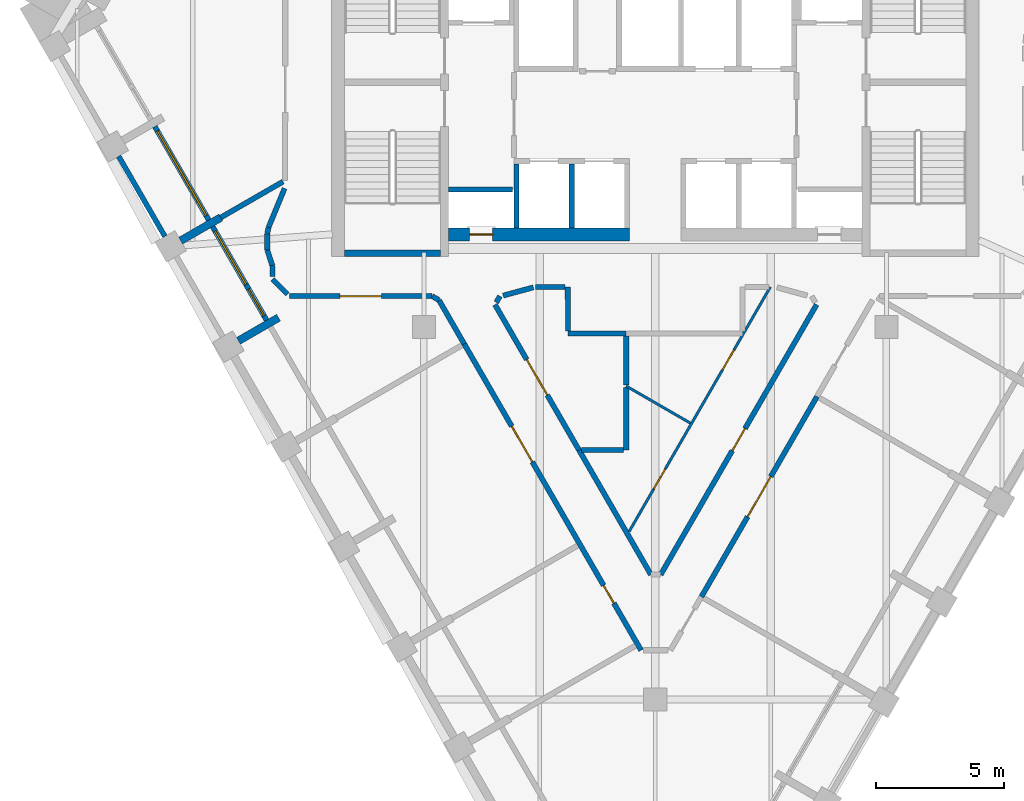
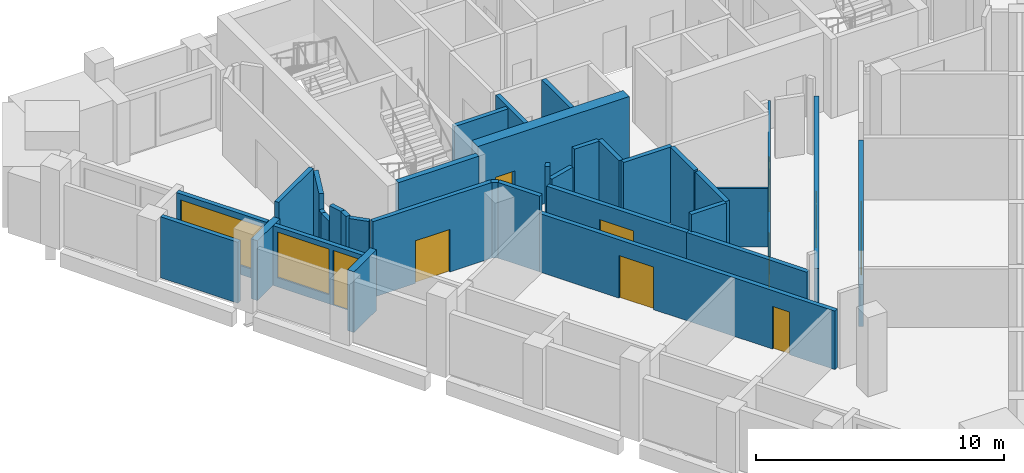
# One storey, part 3 of 8: 35 walls, 10 doors, 2 windows, 12 openings.
"""IFC4 building model written with IfcOpenShell, lengths in metres."""

import ifcopenshell
import ifcopenshell.guid

model = None  # the IFC model being written
_history = None  # IfcOwnerHistory: only IFC2X3 demands one
_inside = {}  # id of a spatial element -> (the spatial element, [elements in it])
_under = {}  # id of a project, library or spatial element -> (it, [spatial elements below it])
_declared = {}  # id of a project -> (the project, [libraries it declares])
_typed = {}  # id of a type object -> (the type object, [elements of that type])
_made_of = {}  # id of a material, layer set ... -> (it, [elements and type objects made of it])


def new_model(schema):
    """Start an empty IFC model of exactly this schema.

    Asked for "IFC4X3", IfcOpenShell would pick the latest addendum, in which some entities
    have other attributes; the version numbers below select the first issue.
    IFC2X3 requires an IfcOwnerHistory on every rooted entity: one is made here for all.
    """
    global model, _history
    if schema == "IFC4X3":
        model = ifcopenshell.file(schema_version=(4, 3, 0, 0))
    else:
        model = ifcopenshell.file(schema=schema)
    _inside.clear()
    _under.clear()
    _declared.clear()
    _typed.clear()
    _made_of.clear()
    _history = None
    if model.schema == "IFC2X3":
        org = make("IfcOrganization", Name="unknown")
        user = make(
            "IfcPersonAndOrganization",
            ThePerson=make("IfcPerson", FamilyName="unknown"),
            TheOrganization=org,
        )
        app = make(
            "IfcApplication",
            ApplicationDeveloper=org,
            Version="unknown",
            ApplicationFullName="unknown",
            ApplicationIdentifier="unknown",
        )
        _history = make(
            "IfcOwnerHistory",
            OwningUser=user,
            OwningApplication=app,
            ChangeAction="ADDED",
            CreationDate=0,
        )
    return model


def make(cls, **values):
    """One entity of the class cls with the attributes given. An attribute that is None is left unset."""
    return model.create_entity(
        cls, **{name: value for name, value in values.items() if value is not None}
    )


def rooted(cls, **values):
    """An entity with a GlobalId (a new one), such as an element, a storey or a relation."""
    return make(cls, GlobalId=ifcopenshell.guid.new(), OwnerHistory=_history, **values)


def si_unit(unit_type, name, prefix=None):
    """IfcSIUnit, for example si_unit("LENGTHUNIT", "METRE", prefix="MILLI")."""
    return make("IfcSIUnit", UnitType=unit_type, Prefix=prefix, Name=name)


def assignment(units):
    """IfcUnitAssignment: the units of a project."""
    return None if units is None else make("IfcUnitAssignment", Units=units)


def point(xyz):
    """IfcCartesianPoint."""
    return None if xyz is None else make("IfcCartesianPoint", Coordinates=xyz)


def direction(xyz):
    """IfcDirection."""
    return None if xyz is None else make("IfcDirection", DirectionRatios=xyz)


def frame(location, z_axis=None, x_axis=None):
    """IfcAxis2Placement3D, a coordinate frame: its origin and axes. An axis left out is left unset."""
    return make(
        "IfcAxis2Placement3D",
        Location=point(location),
        Axis=direction(z_axis),
        RefDirection=direction(x_axis),
    )


def frame_2d(location, x_axis=None):
    """IfcAxis2Placement2D, a coordinate frame in the plane: its origin and x axis."""
    return make(
        "IfcAxis2Placement2D", Location=point(location), RefDirection=direction(x_axis)
    )


def origin():
    """The frame at (0, 0, 0) with its axes left unset."""
    return frame((0.0, 0.0, 0.0))


def place(relative_to, where):
    """IfcLocalPlacement: puts the frame where relative to a parent placement (None: the world)."""
    return make(
        "IfcLocalPlacement", PlacementRelTo=relative_to, RelativePlacement=where
    )


def context(
    kind, dimensions, precision=None, world=None, true_north=None, identifier=None
):
    """IfcGeometricRepresentationContext, for example the 3D "Model" context."""
    return make(
        "IfcGeometricRepresentationContext",
        ContextIdentifier=identifier,
        ContextType=kind,
        CoordinateSpaceDimension=dimensions,
        Precision=precision,
        WorldCoordinateSystem=world,
        TrueNorth=true_north,
    )


def subcontext(parent, identifier, kind, view, scale=None):
    """IfcGeometricRepresentationSubContext, for example "Body" below "Model"."""
    return make(
        "IfcGeometricRepresentationSubContext",
        ContextIdentifier=identifier,
        ContextType=kind,
        ParentContext=parent,
        TargetScale=scale,
        TargetView=view,
    )


def project(units=None, contexts=None):
    """IfcProject with its units and contexts."""
    return rooted(
        "IfcProject",
        Name="project",
        RepresentationContexts=contexts,
        UnitsInContext=assignment(units),
    )


def spatial(cls, under=None, at=None, **own):
    """A site, building, storey or space (cls), placed at a placement, below another one or the project."""
    s = rooted(cls, ObjectPlacement=at, **own)
    if under is not None:
        _under.setdefault(under.id(), (under, []))[1].append(s)
    return s


def profile(cls, at=None, kind="AREA", **sizes):
    """A parametric profile (cls). Its sizes go by their IFC names, for example OverallWidth=200.0."""
    return make(cls, ProfileType=kind, Position=at, **sizes)


def rectangle(**sizes):
    """IfcRectangleProfileDef."""
    return profile("IfcRectangleProfileDef", **sizes)


def extrude(swept, where, along, depth):
    """IfcExtrudedAreaSolid: the profile swept, set in the frame where, extruded along a direction by depth."""
    return make(
        "IfcExtrudedAreaSolid",
        SweptArea=swept,
        Position=where,
        ExtrudedDirection=direction(along),
        Depth=depth,
    )


def shape(context_of_items, identifier, shape_type, items):
    """IfcShapeRepresentation: the items that make up one representation, for example the "Body"."""
    return make(
        "IfcShapeRepresentation",
        ContextOfItems=context_of_items,
        RepresentationIdentifier=identifier,
        RepresentationType=shape_type,
        Items=items,
    )


def material(Name=None, Category=None):
    """IfcMaterial."""
    return make("IfcMaterial", Name=Name, Category=Category)


def layer(
    of_material, thickness, ventilated=None, Name=None, Category=None, Priority=None
):
    """IfcMaterialLayer: one layer of a wall or slab, of a material (None: an air gap)."""
    return make(
        "IfcMaterialLayer",
        Material=of_material,
        LayerThickness=thickness,
        IsVentilated=ventilated,
        Name=Name,
        Category=Category,
        Priority=Priority,
    )


def layer_set(layers, Name=None):
    """IfcMaterialLayerSet."""
    return make("IfcMaterialLayerSet", MaterialLayers=layers, LayerSetName=Name)


def made_of(thing, what):
    """Note that an element or type object is made of a material, layer set ...; save() writes the relation."""
    if what is not None:
        _made_of.setdefault(what.id(), (what, []))[1].append(thing)
    return thing


def type_object(cls, material=None, **own):
    """A type object (cls), such as IfcWallType, which elements share."""
    return made_of(rooted(cls, **own), material)


def element(
    cls,
    number,
    at=None,
    inside=None,
    cuts=None,
    type_object=None,
    material=None,
    context=None,
    identifier="Body",
    shape_type=None,
    held_by="IfcProductDefinitionShape",
    body=None,
    shapes=None,
    **own,
):
    """One element of the class cls, such as IfcWall. Its Tag is "e" and its number.

    at: its placement. inside: the storey or other place that contains it. cuts: it is an
    opening in that element (IfcRelVoidsElement). A single representation is given by context,
    identifier, shape_type and body (its items); several are given by shapes. held_by: the class
    of the entity that holds the representations. save() writes the other relations.
    """
    e = rooted(cls, Tag="e%d" % number, ObjectPlacement=at, **own)
    if body is not None:
        shapes = [shape(context, identifier, shape_type, body)]
    if shapes is not None:
        e.Representation = make(held_by, Representations=shapes)
    if inside is not None:
        _inside.setdefault(inside.id(), (inside, []))[1].append(e)
    if cuts is not None:
        rooted(
            "IfcRelVoidsElement", RelatingBuildingElement=cuts, RelatedOpeningElement=e
        )
    if type_object is not None:
        _typed.setdefault(type_object.id(), (type_object, []))[1].append(e)
    return made_of(e, material)


def fill(opening, filler):
    """IfcRelFillsElement: the door or window that sits in an opening."""
    return rooted(
        "IfcRelFillsElement",
        RelatingOpeningElement=opening,
        RelatedBuildingElement=filler,
    )


def aggregate(whole, parts):
    """IfcRelAggregates: a whole, such as a stair, and the parts it consists of."""
    return rooted("IfcRelAggregates", RelatingObject=whole, RelatedObjects=parts)


def save(model, path):
    """Write the relations noted so far, then the file.

    IfcRelAggregates (storeys below a building ...), IfcRelContainedInSpatialStructure (elements
    in a storey), IfcRelDefinesByType, IfcRelAssociatesMaterial and IfcRelDeclares: one each for
    every whole, place, type object, material and project.
    """
    for whole, parts in _under.values():
        aggregate(whole, parts)
    for where, things in _inside.values():
        rooted(
            "IfcRelContainedInSpatialStructure",
            RelatedElements=things,
            RelatingStructure=where,
        )
    for kind, things in _typed.values():
        rooted("IfcRelDefinesByType", RelatedObjects=things, RelatingType=kind)
    for what, things in _made_of.values():
        rooted("IfcRelAssociatesMaterial", RelatedObjects=things, RelatingMaterial=what)
    for by, libraries in _declared.values():
        rooted("IfcRelDeclares", RelatingContext=by, RelatedDefinitions=libraries)
    model.write(path)


model = new_model("IFC4")

# Units and contexts
model_context = context("Model", 3, precision=1e-05, world=origin(), true_north=direction((0.0, 1.0)))
body_context = subcontext(model_context, "Body", "Model", "MODEL_VIEW")
ifc_project = project(units=[si_unit("LENGTHUNIT", "METRE"), si_unit("AREAUNIT", "SQUARE_METRE"), si_unit("VOLUMEUNIT", "CUBIC_METRE"), si_unit("PLANEANGLEUNIT", "RADIAN"), si_unit("MASSUNIT", "GRAM", prefix="KILO")], contexts=[model_context])

# Site, building, storey
site_placement = place(None, origin())
site = spatial("IfcSite", under=ifc_project, at=site_placement, CompositionType="ELEMENT")
building_placement = place(site_placement, origin())
building = spatial("IfcBuilding", under=site, at=building_placement, Name="Calabash Gate Tower", CompositionType="ELEMENT")
storey_placement = place(building_placement, frame((0.0, 0.0, 259.89990234375)))
storey = spatial("IfcBuildingStorey", under=building, at=storey_placement, Name="L62", CompositionType="ELEMENT", Elevation=259.89990234375)

# Walls
ifc_material_1 = material(Name="Terracotta brick masonry, exposed face", Category="masonry")
ifc_layer_1 = layer(ifc_material_1, 0.300048828125)
ifc_layer_set_1 = layer_set([ifc_layer_1], Name="Brick loggia cheek wall 300")
wall_type_1 = type_object("IfcWallType", Name="Brick loggia cheek wall 300", PredefinedType="SOLIDWALL", material=ifc_layer_set_1)
wall_1_placement = place(storey_placement, frame((-16.910888671875, 6.75927734375, 0.0), z_axis=(0.0, 0.0, 1.0), x_axis=(-0.866047807691, -0.499961193289, 0.0)))
element("IfcWall", 1, at=wall_1_placement, inside=storey, type_object=wall_type_1, Name="Loggia cheek S18 SW0.2", PredefinedType="SOLIDWALL", context=body_context, shape_type="SweptSolid", body=[
    extrude(rectangle(XDim=1.800048828125, YDim=0.300048828125, at=frame_2d((0.89990234375, 0.0))), origin(), (0.0, 0.0, 1.0), 2.9501953125),
])
wall_2_placement = place(storey_placement, frame((-16.2197265625, 1.962158203125, 0.0), z_axis=(0.0, 0.0, 1.0), x_axis=(0.865989075817, 0.500062916607, 0.0)))
element("IfcWall", 2, at=wall_2_placement, inside=storey, type_object=wall_type_1, Name="Loggia cheek S18 SW0.3", PredefinedType="SOLIDWALL", context=body_context, shape_type="SweptSolid", body=[
    extrude(rectangle(XDim=1.800048828125, YDim=0.300048828125, at=frame_2d((0.89990234375, 0.0))), origin(), (0.0, 0.0, 1.0), 3.0),
])
ifc_material_2 = material(Name="Concrete C60/75", Category="concrete")
ifc_layer_2 = layer(ifc_material_2, 0.25)
ifc_layer_set_2 = layer_set([ifc_layer_2], Name="Core wall 250 Concrete C60/75")
wall_type_2 = type_object("IfcWallType", Name="Core wall 250 Concrete C60/75", PredefinedType="SHEAR", material=ifc_layer_set_2)
wall_3_placement = place(storey_placement, frame((-12.10009765625, 5.377685546875, 0.0), z_axis=(0.0, 0.0, 1.0), x_axis=(1.0, 0.0, 0.0)))
element("IfcWall", 3, at=wall_3_placement, inside=storey, type_object=wall_type_2, Name="Core wall Z5-SSW L62", PredefinedType="SHEAR", context=body_context, shape_type="SweptSolid", body=[
    extrude(rectangle(XDim=3.75, YDim=0.25, at=frame_2d((1.875, 0.0))), origin(), (0.0, 0.0, 1.0), 3.900146484375),
])

# Wall, opening, door
ifc_material_3 = material(Name="Concrete C60/75", Category="concrete")
ifc_layer_3 = layer(ifc_material_3, 0.5)
ifc_layer_set_3 = layer_set([ifc_layer_3], Name="Core wall 500 Concrete C60/75")
wall_type_3 = type_object("IfcWallType", Name="Core wall 500 Concrete C60/75", PredefinedType="SHEAR", material=ifc_layer_set_3)
wall_4_placement = place(storey_placement, frame((-8.050048828125, 6.1025390625, 0.0), z_axis=(0.0, 0.0, 1.0), x_axis=(1.0, 0.0, 0.0)))
wall_4 = element("IfcWall", 4, at=wall_4_placement, inside=storey, type_object=wall_type_3, Name="Core wall Z5-SA L62", PredefinedType="SHEAR", context=body_context, shape_type="SweptSolid", body=[
    extrude(rectangle(XDim=7.050048828125, YDim=0.5, at=frame_2d((3.52490234375, 0.0))), origin(), (0.0, 0.0, 1.0), 3.900146484375),
])
opening_1_placement = place(wall_4_placement, frame((0.824951171875, 0.0, 0.0)))
opening_1 = element("IfcOpeningElement", 5, at=opening_1_placement, cuts=wall_4, Name="Opening O10-008", PredefinedType="OPENING", context=body_context, shape_type="SweptSolid", body=[
    extrude(rectangle(XDim=0.89990234375, YDim=2.10009765625, at=frame_2d((0.449951171875, 1.050048828125))), frame((0.0, 0.260009765625, 0.0), z_axis=(0.0, -1.0, 0.0), x_axis=(1.0, 0.0, 0.0)), (0.0, 0.0, 1.0), 0.52001953125),
])
ifc_material_4 = material(Name="Steel fire door set with fire-resisting glazing", Category="steel")
door_type_1 = type_object("IfcDoorType", Name="Fire door D07 900x2100 FD90", OperationType="NOTDEFINED", PredefinedType="DOOR", material=ifc_material_4)
door_1_placement = place(opening_1_placement, origin())
door_1 = element("IfcDoor", 6, at=door_1_placement, inside=storey, type_object=door_type_1, Name="Electrical Riser W door", OperationType="SINGLE_SWING_LEFT", OverallHeight=2.10009765625, OverallWidth=0.89990234375, PredefinedType="DOOR", context=body_context, shape_type="SweptSolid", body=[
    extrude(rectangle(XDim=0.89990234375, YDim=2.10009765625, at=frame_2d((0.449951171875, 1.050048828125))), frame((0.0, 0.02490234375, 0.0), z_axis=(0.0, -1.0, 0.0), x_axis=(1.0, 0.0, 0.0)), (0.0, 0.0, 1.0), 0.050048828125),
])
fill(opening_1, door_1)

# Wall, openings, doors
ifc_material_5 = material(Name="Gypsum board on steel studs, mineral wool", Category="steel")
ifc_layer_4 = layer(ifc_material_5, 0.10009765625)
ifc_layer_set_4 = layer_set([ifc_layer_4], Name="Partition 100 gypsum board")
wall_type_4 = type_object("IfcWallType", Name="Partition 100 gypsum board", PredefinedType="PARTITIONING", material=ifc_layer_set_4)
wall_5_placement = place(storey_placement, frame((-1.01708984375, -5.46533203125, 0.0), z_axis=(0.0, 0.0, 1.0), x_axis=(0.499983334908, 0.866035025166, 0.0)))
wall_5 = element("IfcWall", 7, at=wall_5_placement, inside=storey, type_object=wall_type_4, Name="Partition", PredefinedType="PARTITIONING", context=body_context, shape_type="SweptSolid", body=[
    extrude(rectangle(XDim=10.990234375, YDim=0.10009765625, at=frame_2d((5.4951171875, 0.0))), origin(), (0.0, 0.0, 1.0), 2.88427734375),
])
opening_2_placement = place(wall_5_placement, frame((1.915283203125, 0.0, 0.0)))
opening_2 = element("IfcOpeningElement", 8, at=opening_2_placement, cuts=wall_5, Name="Opening 62-64-013", PredefinedType="OPENING", context=body_context, shape_type="SweptSolid", body=[
    extrude(rectangle(XDim=0.89990234375, YDim=2.10009765625, at=frame_2d((0.449951171875, 1.050048828125))), frame((0.0, 0.06005859375, 0.0), z_axis=(0.0, -1.0, 0.0), x_axis=(1.0, 0.0, 0.0)), (0.0, 0.0, 1.0), 0.1201171875),
])
opening_3_placement = place(wall_5_placement, frame((7.2705078125, 0.0, 0.0)))
opening_3 = element("IfcOpeningElement", 9, at=opening_3_placement, cuts=wall_5, Name="Opening 62-64-014", PredefinedType="OPENING", context=body_context, shape_type="SweptSolid", body=[
    extrude(rectangle(XDim=0.89990234375, YDim=2.10009765625, at=frame_2d((0.449951171875, 1.050048828125))), frame((0.0, 0.06005859375, 0.0), z_axis=(0.0, -1.0, 0.0), x_axis=(1.0, 0.0, 0.0)), (0.0, 0.0, 1.0), 0.1201171875),
])
ifc_material_6 = material(Name="Painted timber door", Category="wood")
door_type_2 = type_object("IfcDoorType", Name="WD1 WC door 900x2100", OperationType="NOTDEFINED", PredefinedType="DOOR", material=ifc_material_6)
door_2_placement = place(opening_2_placement, origin())
door_2 = element("IfcDoor", 10, at=door_2_placement, inside=storey, type_object=door_type_2, Name="WC door", OperationType="SINGLE_SWING_LEFT", OverallHeight=2.10009765625, OverallWidth=0.89990234375, PredefinedType="DOOR", context=body_context, shape_type="SweptSolid", body=[
    extrude(rectangle(XDim=0.89990234375, YDim=2.10009765625, at=frame_2d((0.449951171875, 1.050048828125))), frame((0.0, 0.02490234375, 0.0), z_axis=(0.0, -1.0, 0.0), x_axis=(1.0, 0.0, 0.0)), (0.0, 0.0, 1.0), 0.050048828125),
])
fill(opening_2, door_2)
door_3_placement = place(opening_3_placement, origin())
door_3 = element("IfcDoor", 11, at=door_3_placement, inside=storey, type_object=door_type_2, Name="WC door", OperationType="SINGLE_SWING_RIGHT", OverallHeight=2.10009765625, OverallWidth=0.89990234375, PredefinedType="DOOR", context=body_context, shape_type="SweptSolid", body=[
    extrude(rectangle(XDim=0.89990234375, YDim=2.10009765625, at=frame_2d((0.449951171875, 1.050048828125))), frame((0.0, 0.02490234375, 0.0), z_axis=(0.0, -1.0, 0.0), x_axis=(1.0, 0.0, 0.0)), (0.0, 0.0, 1.0), 0.050048828125),
])
fill(opening_3, door_3)

# Wall
wall_6_placement = place(storey_placement, frame((-1.127685546875, 0.2001953125, 0.0), z_axis=(0.0, 0.0, 1.0), x_axis=(0.866037287897, -0.499979415547, 0.0)))
element("IfcWall", 12, at=wall_6_placement, inside=storey, type_object=wall_type_4, Name="Partition", PredefinedType="PARTITIONING", context=body_context, shape_type="SweptSolid", body=[
    extrude(rectangle(XDim=2.87841796875, YDim=0.10009765625, at=frame_2d((1.439208984375, 0.0))), origin(), (0.0, 0.0, 1.0), 2.88427734375),
])

# Wall, openings, doors
ifc_material_7 = material(Name="Gypsum board on steel studs, mineral wool", Category="steel")
ifc_layer_5 = layer(ifc_material_7, 0.199951171875)
ifc_layer_set_5 = layer_set([ifc_layer_5], Name="Partition 200 gypsum board EI 60")
wall_type_5 = type_object("IfcWallType", Name="Partition 200 gypsum board EI 60", PredefinedType="PARTITIONING", material=ifc_layer_set_5)
wall_7_placement = place(storey_placement, frame((-7.43310546875, 1.839111328125, 0.0), z_axis=(0.0, 0.0, 1.0), x_axis=(0.500005992518, -0.866021943975, 0.0)))
wall_7 = element("IfcWall", 13, at=wall_7_placement, inside=storey, type_object=wall_type_5, Name="Partition", PredefinedType="PARTITIONING", context=body_context, shape_type="SweptSolid", body=[
    extrude(rectangle(XDim=13.763916015625, YDim=0.199951171875, at=frame_2d((6.8818359375, 0.0))), origin(), (0.0, 0.0, 1.0), 2.88427734375),
])
opening_4_placement = place(wall_7_placement, frame((3.699951171875, 0.0, 0.0)))
opening_4 = element("IfcOpeningElement", 14, at=opening_4_placement, cuts=wall_7, Name="Opening 62-64-001", PredefinedType="OPENING", context=body_context, shape_type="SweptSolid", body=[
    extrude(rectangle(XDim=1.60009765625, YDim=2.10009765625, at=frame_2d((0.800048828125, 1.050048828125))), frame((0.0, 0.10986328125, 0.0), z_axis=(0.0, -1.0, 0.0), x_axis=(1.0, 0.0, 0.0)), (0.0, 0.0, 1.0), 0.219970703125),
])
opening_5_placement = place(wall_7_placement, frame((10.85009765625, 0.0, 0.0)))
opening_5 = element("IfcOpeningElement", 15, at=opening_5_placement, cuts=wall_7, Name="Opening 62-64-002", PredefinedType="OPENING", context=body_context, shape_type="SweptSolid", body=[
    extrude(rectangle(XDim=0.800048828125, YDim=2.10009765625, at=frame_2d((0.39990234375, 1.050048828125))), frame((0.0, 0.10986328125, 0.0), z_axis=(0.0, -1.0, 0.0), x_axis=(1.0, 0.0, 0.0)), (0.0, 0.0, 1.0), 0.219970703125),
])
ifc_material_8 = material(Name="Steel fire door set with fire-resisting glazing", Category="steel")
door_type_3 = type_object("IfcDoorType", Name="LD1 Lounge double door 1600x2100", OperationType="NOTDEFINED", PredefinedType="DOOR", material=ifc_material_8)
door_4_placement = place(opening_4_placement, origin())
door_4 = element("IfcDoor", 16, at=door_4_placement, inside=storey, type_object=door_type_3, Name="Lounge double door", OperationType="DOUBLE_DOOR_SINGLE_SWING", OverallHeight=2.10009765625, OverallWidth=1.60009765625, PredefinedType="DOOR", context=body_context, shape_type="SweptSolid", body=[
    extrude(rectangle(XDim=1.60009765625, YDim=2.10009765625, at=frame_2d((0.800048828125, 1.050048828125))), frame((0.0, 0.02490234375, 0.0), z_axis=(0.0, -1.0, 0.0), x_axis=(1.0, 0.0, 0.0)), (0.0, 0.0, 1.0), 0.050048828125),
])
fill(opening_4, door_4)
ifc_material_9 = material(Name="Painted timber door", Category="wood")
door_type_4 = type_object("IfcDoorType", Name="OD4 Phone booth door 800x2100", OperationType="NOTDEFINED", PredefinedType="DOOR", material=ifc_material_9)
door_5_placement = place(opening_5_placement, origin())
door_5 = element("IfcDoor", 17, at=door_5_placement, inside=storey, type_object=door_type_4, Name="Phone booth door", OperationType="SINGLE_SWING_LEFT", OverallHeight=2.10009765625, OverallWidth=0.800048828125, PredefinedType="DOOR", context=body_context, shape_type="SweptSolid", body=[
    extrude(rectangle(XDim=0.800048828125, YDim=2.10009765625, at=frame_2d((0.39990234375, 1.050048828125))), frame((0.0, 0.02490234375, 0.0), z_axis=(0.0, -1.0, 0.0), x_axis=(1.0, 0.0, 0.0)), (0.0, 0.0, 1.0), 0.050048828125),
])
fill(opening_5, door_5)

# Wall, opening, door
wall_8_placement = place(storey_placement, frame((0.21240234375, -7.13916015625, 0.0), z_axis=(0.0, 0.0, 1.0), x_axis=(0.499990649477, 0.866030802244, 0.0)))
wall_8 = element("IfcWall", 18, at=wall_8_placement, inside=storey, type_object=wall_type_5, Name="Partition", PredefinedType="PARTITIONING", context=body_context, shape_type="SweptSolid", body=[
    extrude(rectangle(XDim=12.135009765625, YDim=0.199951171875, at=frame_2d((6.0673828125, 0.0))), origin(), (0.0, 0.0, 1.0), 2.88427734375),
])
opening_6_placement = place(wall_8_placement, frame((5.5673828125, 0.0, 0.0)))
opening_6 = element("IfcOpeningElement", 19, at=opening_6_placement, cuts=wall_8, Name="Opening 62-64-012", PredefinedType="OPENING", context=body_context, shape_type="SweptSolid", body=[
    extrude(rectangle(XDim=1.0, YDim=2.10009765625, at=frame_2d((0.5, 1.050048828125))), frame((0.0, 0.10986328125, 0.0), z_axis=(0.0, -1.0, 0.0), x_axis=(1.0, 0.0, 0.0)), (0.0, 0.0, 1.0), 0.219970703125),
])
ifc_material_10 = material(Name="Steel fire door set with fire-resisting glazing", Category="steel")
door_type_5 = type_object("IfcDoorType", Name="WD3 WC lobby door 1000x2100", OperationType="NOTDEFINED", PredefinedType="DOOR", material=ifc_material_10)
door_6_placement = place(opening_6_placement, origin())
door_6 = element("IfcDoor", 20, at=door_6_placement, inside=storey, type_object=door_type_5, Name="WC lobby door", OperationType="SINGLE_SWING_RIGHT", OverallHeight=2.10009765625, OverallWidth=1.0, PredefinedType="DOOR", context=body_context, shape_type="SweptSolid", body=[
    extrude(rectangle(XDim=1.0, YDim=2.10009765625, at=frame_2d((0.5, 1.050048828125))), frame((0.0, 0.02490234375, 0.0), z_axis=(0.0, -1.0, 0.0), x_axis=(1.0, 0.0, 0.0)), (0.0, 0.0, 1.0), 0.050048828125),
])
fill(opening_6, door_6)

# Walls
wall_9_placement = place(storey_placement, frame((-2.968017578125, -2.28662109375, 0.0), z_axis=(0.0, 0.0, 1.0), x_axis=(0.499996582779, -0.866027376709, 0.0)))
element("IfcWall", 21, at=wall_9_placement, inside=storey, type_object=wall_type_5, Name="Partition", PredefinedType="PARTITIONING", context=body_context, shape_type="SweptSolid", body=[
    extrude(rectangle(XDim=5.60205078125, YDim=0.199951171875, at=frame_2d((2.801025390625, 0.0))), origin(), (0.0, 0.0, 1.0), 2.88427734375),
])
wall_10_placement = place(storey_placement, frame((-2.867919921875, -2.286376953125, 0.0), z_axis=(0.0, 0.0, 1.0), x_axis=(0.999999601047, 0.000893255561, 0.0)))
element("IfcWall", 22, at=wall_10_placement, inside=storey, type_object=wall_type_5, Name="Partition", PredefinedType="PARTITIONING", context=body_context, shape_type="SweptSolid", body=[
    extrude(rectangle(XDim=1.639892578125, YDim=0.199951171875, at=frame_2d((0.81982421875, 0.0))), origin(), (0.0, 0.0, 1.0), 3.72998046875),
])

# Wall, opening, door
wall_11_placement = place(storey_placement, frame((1.796875, -7.999267578125, 0.0), z_axis=(0.0, 0.0, 1.0), x_axis=(0.5000018851, 0.866024315419, 0.0)))
wall_11 = element("IfcWall", 23, at=wall_11_placement, inside=storey, type_object=wall_type_5, Name="Partition", PredefinedType="PARTITIONING", context=body_context, shape_type="SweptSolid", body=[
    extrude(rectangle(XDim=9.0, YDim=0.199951171875, at=frame_2d((4.5, 0.0))), origin(), (0.0, 0.0, 1.0), 2.88427734375),
])
opening_7_placement = place(wall_11_placement, frame((3.60009765625, 0.0, 0.0)))
opening_7 = element("IfcOpeningElement", 24, at=opening_7_placement, cuts=wall_11, Name="Opening 62-64-003", PredefinedType="OPENING", context=body_context, shape_type="SweptSolid", body=[
    extrude(rectangle(XDim=1.800048828125, YDim=2.39990234375, at=frame_2d((0.89990234375, 1.199951171875))), frame((0.0, 0.10986328125, 0.0), z_axis=(0.0, -1.0, 0.0), x_axis=(1.0, 0.0, 0.0)), (0.0, 0.0, 1.0), 0.219970703125),
])
ifc_material_11 = material(Name="Steel fire door set with fire-resisting glazing", Category="steel")
door_type_6 = type_object("IfcDoorType", Name="OD5 Open office double door 1800x2400", OperationType="NOTDEFINED", PredefinedType="DOOR", material=ifc_material_11)
door_7_placement = place(opening_7_placement, origin())
door_7 = element("IfcDoor", 25, at=door_7_placement, inside=storey, type_object=door_type_6, Name="Open office double door", OperationType="DOUBLE_DOOR_SINGLE_SWING", OverallHeight=2.39990234375, OverallWidth=1.800048828125, PredefinedType="DOOR", context=body_context, shape_type="SweptSolid", body=[
    extrude(rectangle(XDim=1.800048828125, YDim=2.39990234375, at=frame_2d((0.89990234375, 1.199951171875))), frame((0.0, 0.02490234375, 0.0), z_axis=(0.0, -1.0, 0.0), x_axis=(1.0, 0.0, 0.0)), (0.0, 0.0, 1.0), 0.050048828125),
])
fill(opening_7, door_7)

# Walls
wall_12_placement = place(storey_placement, frame((-1.1279296875, -2.28466796875, 0.0), z_axis=(0.0, 0.0, 1.0), x_axis=(0.000803212592, 0.999999677425, 0.0)))
element("IfcWall", 26, at=wall_12_placement, inside=storey, type_object=wall_type_5, Name="Partition", PredefinedType="PARTITIONING", context=body_context, shape_type="SweptSolid", body=[
    extrude(rectangle(XDim=2.431640625, YDim=0.199951171875, at=frame_2d((1.2158203125, 0.0))), origin(), (0.0, 0.0, 1.0), 3.72998046875),
])
wall_13_placement = place(storey_placement, frame((-8.4169921875, 3.54638671875, 0.0), z_axis=(0.0, 0.0, 1.0), x_axis=(0.499325430766, -0.866414516378, 0.0)))
element("IfcWall", 27, at=wall_13_placement, inside=storey, type_object=wall_type_5, Name="Partition", PredefinedType="PARTITIONING", context=body_context, shape_type="SweptSolid", body=[
    extrude(rectangle(XDim=1.969970703125, YDim=0.199951171875, at=frame_2d((0.98486328125, 0.0))), origin(), (0.0, 0.0, 1.0), 3.72998046875),
])
wall_14_placement = place(storey_placement, frame((-1.1259765625, 0.247314453125, 0.0), z_axis=(0.0, 0.0, 1.0), x_axis=(0.0, 1.0, 0.0)))
element("IfcWall", 28, at=wall_14_placement, inside=storey, type_object=wall_type_5, Name="Partition", PredefinedType="PARTITIONING", context=body_context, shape_type="SweptSolid", body=[
    extrude(rectangle(XDim=1.9033203125, YDim=0.199951171875, at=frame_2d((0.95166015625, 0.0))), origin(), (0.0, 0.0, 1.0), 3.72998046875),
])
wall_15_placement = place(storey_placement, frame((-3.400146484375, 2.25244140625, 0.0), z_axis=(0.0, 0.0, 1.0), x_axis=(0.999999630572, -0.000859567749, 0.0)))
element("IfcWall", 29, at=wall_15_placement, inside=storey, type_object=wall_type_5, Name="Partition", PredefinedType="PARTITIONING", context=body_context, shape_type="SweptSolid", body=[
    extrude(rectangle(XDim=2.272216796875, YDim=0.199951171875, at=frame_2d((1.13623046875, 0.0))), origin(), (0.0, 0.0, 1.0), 3.72998046875),
])
wall_16_placement = place(storey_placement, frame((-3.402099609375, 4.050537109375, 0.0), z_axis=(0.0, 0.0, 1.0), x_axis=(0.001150085496, -0.999999338651, 0.0)))
element("IfcWall", 30, at=wall_16_placement, inside=storey, type_object=wall_type_5, Name="Partition", PredefinedType="PARTITIONING", context=body_context, shape_type="SweptSolid", body=[
    extrude(rectangle(XDim=1.6982421875, YDim=0.199951171875, at=frame_2d((0.84912109375, 0.0))), origin(), (0.0, 0.0, 1.0), 3.72998046875),
])

# Wall, opening, door
wall_17_placement = place(storey_placement, frame((-6.23583984375, 3.3701171875, 0.0), z_axis=(0.0, 0.0, 1.0), x_axis=(0.500224030226, -0.865896021231, 0.0)))
wall_17 = element("IfcWall", 31, at=wall_17_placement, inside=storey, type_object=wall_type_5, Name="Partition", PredefinedType="PARTITIONING", context=body_context, shape_type="SweptSolid", body=[
    extrude(rectangle(XDim=6.5302734375, YDim=0.199951171875, at=frame_2d((3.26513671875, 0.0))), origin(), (0.0, 0.0, 1.0), 2.88427734375),
])
opening_8_placement = place(wall_17_placement, frame((2.466064453125, 0.0, 0.0)))
opening_8 = element("IfcOpeningElement", 32, at=opening_8_placement, cuts=wall_17, Name="Opening 62-64-005", PredefinedType="OPENING", context=body_context, shape_type="SweptSolid", body=[
    extrude(rectangle(XDim=1.60009765625, YDim=2.10009765625, at=frame_2d((0.800048828125, 1.050048828125))), frame((0.0, 0.10986328125, 0.0), z_axis=(0.0, -1.0, 0.0), x_axis=(1.0, 0.0, 0.0)), (0.0, 0.0, 1.0), 0.219970703125),
])
door_8_placement = place(opening_8_placement, origin())
door_8 = element("IfcDoor", 33, at=door_8_placement, inside=storey, type_object=door_type_3, Name="Lounge double door", OperationType="DOUBLE_DOOR_SINGLE_SWING", OverallHeight=2.10009765625, OverallWidth=1.60009765625, PredefinedType="DOOR", context=body_context, shape_type="SweptSolid", body=[
    extrude(rectangle(XDim=1.60009765625, YDim=2.10009765625, at=frame_2d((0.800048828125, 1.050048828125))), frame((0.0, 0.02490234375, 0.0), z_axis=(0.0, -1.0, 0.0), x_axis=(1.0, 0.0, 0.0)), (0.0, 0.0, 1.0), 0.050048828125),
])
fill(opening_8, door_8)

# Wall
wall_18_placement = place(storey_placement, frame((-8.68212890625, 3.699462890625, 0.0), z_axis=(0.0, 0.0, 1.0), x_axis=(0.866026229868, -0.499998569178, 0.0)))
element("IfcWall", 34, at=wall_18_placement, inside=storey, type_object=wall_type_5, Name="Partition", PredefinedType="PARTITIONING", context=body_context, shape_type="SweptSolid", body=[
    extrude(rectangle(XDim=0.30615234375, YDim=0.199951171875, at=frame_2d((0.153076171875, 0.0))), origin(), (0.0, 0.0, 1.0), 3.72998046875),
])

# Wall, opening, door
wall_19_placement = place(storey_placement, frame((-14.240234375, 3.69970703125, 0.0), z_axis=(0.0, 0.0, 1.0), x_axis=(0.999999999035, -4.3925151e-05, 0.0)))
wall_19 = element("IfcWall", 35, at=wall_19_placement, inside=storey, type_object=wall_type_5, Name="Partition", PredefinedType="PARTITIONING", context=body_context, shape_type="SweptSolid", body=[
    extrude(rectangle(XDim=5.55810546875, YDim=0.199951171875, at=frame_2d((2.779052734375, 0.0))), origin(), (0.0, 0.0, 1.0), 3.72998046875),
])
opening_9_placement = place(wall_19_placement, frame((1.979248046875, 0.0, 0.0)))
opening_9 = element("IfcOpeningElement", 36, at=opening_9_placement, cuts=wall_19, Name="Opening 62-64-007", PredefinedType="OPENING", context=body_context, shape_type="SweptSolid", body=[
    extrude(rectangle(XDim=1.60009765625, YDim=2.10009765625, at=frame_2d((0.800048828125, 1.050048828125))), frame((0.0, 0.10986328125, 0.0), z_axis=(0.0, -1.0, 0.0), x_axis=(1.0, 0.0, 0.0)), (0.0, 0.0, 1.0), 0.219970703125),
])
door_9_placement = place(opening_9_placement, origin())
door_9 = element("IfcDoor", 37, at=door_9_placement, inside=storey, type_object=door_type_3, Name="Lounge double door", OperationType="DOUBLE_DOOR_SINGLE_SWING", OverallHeight=2.10009765625, OverallWidth=1.60009765625, PredefinedType="DOOR", context=body_context, shape_type="SweptSolid", body=[
    extrude(rectangle(XDim=1.60009765625, YDim=2.10009765625, at=frame_2d((0.800048828125, 1.050048828125))), frame((0.0, 0.02490234375, 0.0), z_axis=(0.0, -1.0, 0.0), x_axis=(1.0, 0.0, 0.0)), (0.0, 0.0, 1.0), 0.050048828125),
])
fill(opening_9, door_9)

# Walls
wall_20_placement = place(storey_placement, frame((-6.185546875, 3.456298828125, 0.0), z_axis=(0.0, 0.0, 1.0), x_axis=(0.504408873088, 0.863464931975, 0.0)))
element("IfcWall", 38, at=wall_20_placement, inside=storey, type_object=wall_type_5, Name="Partition", PredefinedType="PARTITIONING", context=body_context, shape_type="SweptSolid", body=[
    extrude(rectangle(XDim=0.2822265625, YDim=0.199951171875, at=frame_2d((0.14111328125, 0.0))), origin(), (0.0, 0.0, 1.0), 3.72998046875),
])
wall_21_placement = place(storey_placement, frame((-14.900390625, 4.35986328125, 0.0), z_axis=(0.0, 0.0, 1.0), x_axis=(0.706960336792, -0.707253195258, 0.0)))
element("IfcWall", 39, at=wall_21_placement, inside=storey, type_object=wall_type_5, Name="Partition", PredefinedType="PARTITIONING", context=body_context, shape_type="SweptSolid", body=[
    extrude(rectangle(XDim=0.833740234375, YDim=0.199951171875, at=frame_2d((0.4169921875, 0.0))), origin(), (0.0, 0.0, 1.0), 3.72998046875),
])
wall_22_placement = place(storey_placement, frame((-5.91650390625, 3.72265625, 0.0), z_axis=(0.0, 0.0, 1.0), x_axis=(0.965160943547, 0.26165693771, 0.0)))
element("IfcWall", 40, at=wall_22_placement, inside=storey, type_object=wall_type_5, Name="Partition", PredefinedType="PARTITIONING", context=body_context, shape_type="SweptSolid", body=[
    extrude(rectangle(XDim=1.216796875, YDim=0.199951171875, at=frame_2d((0.6083984375, 0.0))), origin(), (0.0, 0.0, 1.0), 2.88427734375),
])
wall_23_placement = place(storey_placement, frame((-4.65625, 4.052490234375, 0.0), z_axis=(0.0, 0.0, 1.0), x_axis=(0.999998904, -0.001480539832, 0.0)))
element("IfcWall", 41, at=wall_23_placement, inside=storey, type_object=wall_type_5, Name="Partition", PredefinedType="PARTITIONING", context=body_context, shape_type="SweptSolid", body=[
    extrude(rectangle(XDim=1.154296875, YDim=0.199951171875, at=frame_2d((0.5771484375, 0.0))), origin(), (0.0, 0.0, 1.0), 3.72998046875),
])
wall_24_placement = place(storey_placement, frame((-14.900390625, 4.889404296875, 0.0), z_axis=(0.0, 0.0, 1.0), x_axis=(0.0, -1.0, 0.0)))
element("IfcWall", 42, at=wall_24_placement, inside=storey, type_object=wall_type_5, Name="Partition", PredefinedType="PARTITIONING", context=body_context, shape_type="SweptSolid", body=[
    extrude(rectangle(XDim=0.4296875, YDim=0.199951171875, at=frame_2d((0.21484375, 0.0))), origin(), (0.0, 0.0, 1.0), 3.72998046875),
])
wall_25_placement = place(storey_placement, frame((-15.1005859375, 5.49951171875, 0.0), z_axis=(0.0, 0.0, 1.0), x_axis=(0.311775781287, -0.950155704189, 0.0)))
element("IfcWall", 43, at=wall_25_placement, inside=storey, type_object=wall_type_5, Name="Partition", PredefinedType="PARTITIONING", context=body_context, shape_type="SweptSolid", body=[
    extrude(rectangle(XDim=0.64208984375, YDim=0.199951171875, at=frame_2d((0.321044921875, 0.0))), origin(), (0.0, 0.0, 1.0), 3.72998046875),
])
wall_26_placement = place(storey_placement, frame((-15.1005859375, 5.49951171875, 0.0), z_axis=(0.0, 0.0, 1.0), x_axis=(0.0, 1.0, 0.0)))
element("IfcWall", 44, at=wall_26_placement, inside=storey, type_object=wall_type_5, Name="Partition", PredefinedType="PARTITIONING", context=body_context, shape_type="SweptSolid", body=[
    extrude(rectangle(XDim=0.62255859375, YDim=0.199951171875, at=frame_2d((0.311279296875, 0.0))), origin(), (0.0, 0.0, 1.0), 2.9501953125),
])
wall_27_placement = place(storey_placement, frame((-15.1005859375, 6.1220703125, 0.0), z_axis=(0.0, 0.0, 1.0), x_axis=(0.194465976514, 0.980909263887, 0.0)))
element("IfcWall", 45, at=wall_27_placement, inside=storey, type_object=wall_type_5, Name="Partition", PredefinedType="PARTITIONING", context=body_context, shape_type="SweptSolid", body=[
    extrude(rectangle(XDim=0.256103515625, YDim=0.199951171875, at=frame_2d((0.1279296875, 0.0))), origin(), (0.0, 0.0, 1.0), 2.9501953125),
])
wall_28_placement = place(storey_placement, frame((-15.05078125, 6.373291015625, 0.0), z_axis=(0.0, 0.0, 1.0), x_axis=(0.380772221762, 0.92466886783, 0.0)))
element("IfcWall", 46, at=wall_28_placement, inside=storey, type_object=wall_type_5, Name="Partition", PredefinedType="PARTITIONING", context=body_context, shape_type="SweptSolid", body=[
    extrude(rectangle(XDim=1.643310546875, YDim=0.199951171875, at=frame_2d((0.82177734375, 0.0))), origin(), (0.0, 0.0, 1.0), 3.72998046875),
])
wall_29_placement = place(storey_placement, frame((-16.910888671875, 6.75927734375, 0.0), z_axis=(0.0, 0.0, 1.0), x_axis=(0.866362772616, 0.499415204239, 0.0)))
element("IfcWall", 47, at=wall_29_placement, inside=storey, type_object=wall_type_5, Name="Partition", PredefinedType="PARTITIONING", context=body_context, shape_type="SweptSolid", body=[
    extrude(rectangle(XDim=2.797607421875, YDim=0.199951171875, at=frame_2d((1.39892578125, 0.0))), origin(), (0.0, 0.0, 1.0), 3.72998046875),
])
ifc_material_12 = material(Name="Concrete C40/50", Category="concrete")
ifc_layer_6 = layer(ifc_material_12, 0.199951171875)
ifc_layer_set_6 = layer_set([ifc_layer_6], Name="Shaft wall 200 Concrete C40/50")
wall_type_6 = type_object("IfcWallType", Name="Shaft wall 200 Concrete C40/50", PredefinedType="SOLIDWALL", material=ifc_layer_set_6)
for number, where, z_axis, x_axis, name in (
    (48, (-5.39990234375, 6.3525390625, 0.0), (0.0, 0.0, 1.0), (0.0, 1.0, 0.0), "Shaft wall"),
    (49, (-3.25, 6.3525390625, 0.0), (0.0, 0.0, 1.0), (0.0, 1.0, 0.0), "Shaft wall"),
    (50, (-8.050048828125, 7.8525390625, 0.0), (0.0, 0.0, 1.0), (1.0, 0.0, 0.0), "Shaft wall"),
):
    element("IfcWall", number, at=place(storey_placement, frame(where, z_axis=z_axis, x_axis=x_axis)), inside=storey, type_object=wall_type_6, Name=name, PredefinedType="SOLIDWALL", context=body_context, shape_type="SweptSolid", body=[
        extrude(rectangle(XDim=2.5, YDim=0.199951171875, at=frame_2d((1.25, 0.0))), origin(), (0.0, 0.0, 1.0), 3.72998046875),
    ])
ifc_material_13 = material(Name="Terracotta brick masonry, perforated", Category="masonry")
ifc_layer_7 = layer(ifc_material_13, 0.199951171875)
ifc_layer_set_7 = layer_set([ifc_layer_7], Name="Terracotta jaali screen B")
wall_type_7 = type_object("IfcWallType", Name="Terracotta jaali screen B", PredefinedType="SOLIDWALL", material=ifc_layer_set_7)
wall_30_placement = place(storey_placement, frame((-20.884521484375, 9.141845703125, 0.0), z_axis=(0.0, 0.0, 1.0), x_axis=(0.500012057535, -0.866018442252, 0.0)))
element("IfcWall", 51, at=wall_30_placement, inside=storey, type_object=wall_type_7, Name="SCREEN B S18 SW0.2", PredefinedType="SOLIDWALL", context=body_context, shape_type="SweptSolid", body=[
    extrude(rectangle(XDim=3.60009765625, YDim=0.199951171875, at=frame_2d((1.800048828125, 0.0))), origin(), (0.0, 0.0, 1.0), 3.0),
])

# Wall, opening, window
ifc_material_14 = material(Name="Aluminium framed window wall with insulated spandrel", Category="aluminium")
ifc_layer_8 = layer(ifc_material_14, 0.199951171875)
ifc_layer_set_8 = layer_set([ifc_layer_8], Name="Window wall 200")
wall_type_8 = type_object("IfcWallType", Name="Window wall 200", PredefinedType="ELEMENTEDWALL", material=ifc_layer_set_8)
wall_31_placement = place(storey_placement, frame((-19.4755859375, 10.301513671875, 0.0), z_axis=(0.0, 0.0, 1.0), x_axis=(0.49998411664, -0.866034573852, 0.0)))
wall_31 = element("IfcWall", 52, at=wall_31_placement, inside=storey, type_object=wall_type_8, Name="Window wall S18 SW0.2", PredefinedType="ELEMENTEDWALL", context=body_context, shape_type="SweptSolid", body=[
    extrude(rectangle(XDim=4.199951171875, YDim=0.199951171875, at=frame_2d((2.10009765625, 0.0))), origin(), (0.0, 0.0, 1.0), 3.0),
])
opening_10_placement = place(wall_31_placement, frame((0.199951171875, 0.0, 0.449951171875)))
opening_10 = element("IfcOpeningElement", 53, at=opening_10_placement, cuts=wall_31, Name="Opening OW2", PredefinedType="OPENING", context=body_context, shape_type="SweptSolid", body=[
    extrude(rectangle(XDim=3.800048828125, YDim=2.25, at=frame_2d((1.89990234375, 1.125))), frame((0.0, 0.10986328125, 0.0), z_axis=(0.0, -1.0, 0.0), x_axis=(1.0, 0.0, 0.0)), (0.0, 0.0, 1.0), 0.219970703125),
])
ifc_material_15 = material(Name="Anodised aluminium frame, bronze finish, impact-rated laminated clear glazing", Category="aluminium")
window_type_1 = type_object("IfcWindowType", Name="Window OW2 3800x2250", PartitioningType="TRIPLE_PANEL_VERTICAL", PredefinedType="WINDOW", material=ifc_material_15)
window_1_placement = place(opening_10_placement, origin())
window_1 = element("IfcWindow", 54, at=window_1_placement, inside=storey, type_object=window_type_1, Name="Window OW2 S18 SW0.2", OverallHeight=2.25, OverallWidth=3.800048828125, PartitioningType="SINGLE_PANEL", PredefinedType="WINDOW", context=body_context, shape_type="SweptSolid", body=[
    extrude(rectangle(XDim=3.800048828125, YDim=2.25, at=frame_2d((1.89990234375, 1.125))), frame((0.0, 0.030029296875, 0.0), z_axis=(0.0, -1.0, 0.0), x_axis=(1.0, 0.0, 0.0)), (0.0, 0.0, 1.0), 0.06005859375),
])
fill(opening_10, window_1)

# Wall, openings, door, window
wall_32_placement = place(storey_placement, frame((-17.2255859375, 6.404541015625, 0.0), z_axis=(0.0, 0.0, 1.0), x_axis=(0.499958946799, -0.866049104564, 0.0)))
wall_32 = element("IfcWall", 55, at=wall_32_placement, inside=storey, type_object=wall_type_8, Name="Window wall S18 SW0.3", PredefinedType="ELEMENTEDWALL", context=body_context, shape_type="SweptSolid", body=[
    extrude(rectangle(XDim=4.199951171875, YDim=0.199951171875, at=frame_2d((2.10009765625, 0.0))), origin(), (0.0, 0.0, 1.0), 2.9501953125),
])
opening_11_placement = place(wall_32_placement, frame((0.199951171875, 0.0, 0.449951171875)))
opening_11 = element("IfcOpeningElement", 56, at=opening_11_placement, cuts=wall_32, Name="Opening OW1", PredefinedType="OPENING", context=body_context, shape_type="SweptSolid", body=[
    extrude(rectangle(XDim=2.39990234375, YDim=2.25, at=frame_2d((1.199951171875, 1.125))), frame((0.0, 0.10986328125, 0.0), z_axis=(0.0, -1.0, 0.0), x_axis=(1.0, 0.0, 0.0)), (0.0, 0.0, 1.0), 0.219970703125),
])
opening_12_placement = place(wall_32_placement, frame((2.800048828125, 0.0, 0.0)))
opening_12 = element("IfcOpeningElement", 57, at=opening_12_placement, cuts=wall_32, Name="Opening O10-016", PredefinedType="OPENING", context=body_context, shape_type="SweptSolid", body=[
    extrude(rectangle(XDim=1.199951171875, YDim=2.699951171875, at=frame_2d((0.60009765625, 1.35009765625))), frame((0.0, 0.10986328125, 0.0), z_axis=(0.0, -1.0, 0.0), x_axis=(1.0, 0.0, 0.0)), (0.0, 0.0, 1.0), 0.219970703125),
])
ifc_material_16 = material(Name="Anodised aluminium frame, bronze finish, impact-rated laminated clear glazing", Category="aluminium")
door_type_7 = type_object("IfcDoorType", Name="Loggia door DO1 1200x2700", OperationType="SLIDING_TO_LEFT", PredefinedType="DOOR", material=ifc_material_16)
door_10_placement = place(opening_12_placement, origin())
door_10 = element("IfcDoor", 58, at=door_10_placement, inside=storey, type_object=door_type_7, Name="Loggia door S18 SW0.3", OperationType="SINGLE_SWING_LEFT", OverallHeight=2.699951171875, OverallWidth=1.199951171875, PredefinedType="DOOR", context=body_context, shape_type="SweptSolid", body=[
    extrude(rectangle(XDim=1.199951171875, YDim=2.699951171875, at=frame_2d((0.60009765625, 1.35009765625))), frame((0.0, 0.02490234375, 0.0), z_axis=(0.0, -1.0, 0.0), x_axis=(1.0, 0.0, 0.0)), (0.0, 0.0, 1.0), 0.050048828125),
])
fill(opening_12, door_10)
ifc_material_17 = material(Name="Anodised aluminium frame, bronze finish, impact-rated laminated clear glazing", Category="aluminium")
window_type_2 = type_object("IfcWindowType", Name="Window OW1 2400x2250", PartitioningType="DOUBLE_PANEL_VERTICAL", PredefinedType="WINDOW", material=ifc_material_17)
window_2_placement = place(opening_11_placement, origin())
window_2 = element("IfcWindow", 59, at=window_2_placement, inside=storey, type_object=window_type_2, Name="Window OW1 S18 SW0.3", OverallHeight=2.25, OverallWidth=2.39990234375, PartitioningType="SINGLE_PANEL", PredefinedType="WINDOW", context=body_context, shape_type="SweptSolid", body=[
    extrude(rectangle(XDim=2.39990234375, YDim=2.25, at=frame_2d((1.199951171875, 1.125))), frame((0.0, 0.030029296875, 0.0), z_axis=(0.0, -1.0, 0.0), x_axis=(1.0, 0.0, 0.0)), (0.0, 0.0, 1.0), 0.06005859375),
])
fill(opening_11, window_2)

save(model, "model.ifc")
